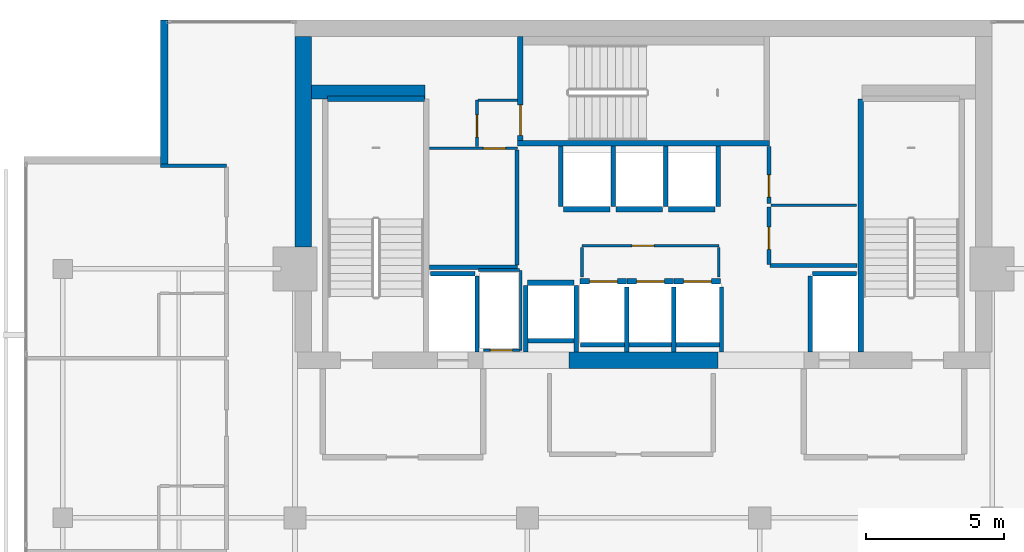
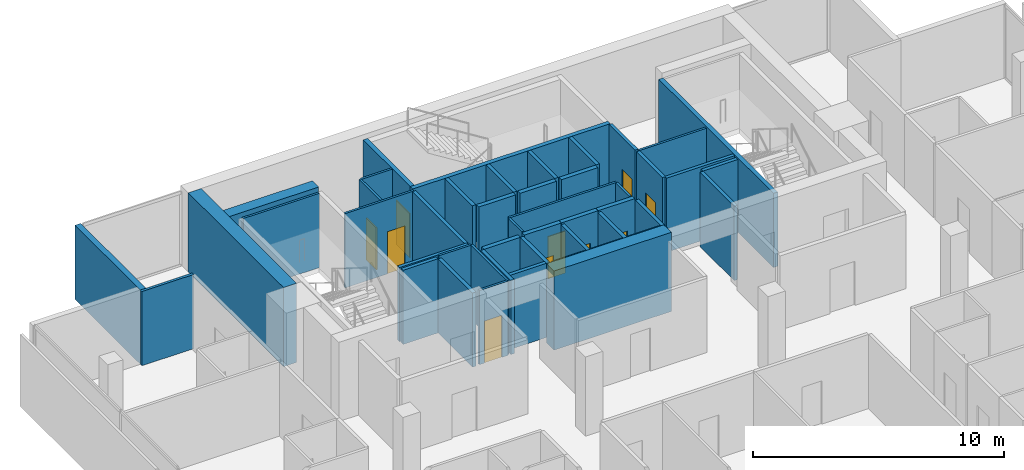
# One storey, part 22 of 25: 46 walls, 10 doors, 10 openings.
"""IFC4 building model written with IfcOpenShell, lengths in metres."""

from ifc_helpers import new_model, si_unit, direction, frame, frame_2d, origin, place, context, subcontext, project, spatial, rectangle, extrude, material, layer, layer_set, type_object, element, fill, save


model = new_model("IFC4")

# Units and contexts
model_context = context("Model", 3, precision=1e-05, world=origin(), true_north=direction((0.0, 1.0)))
body_context = subcontext(model_context, "Body", "Model", "MODEL_VIEW")
ifc_project = project(units=[si_unit("LENGTHUNIT", "METRE"), si_unit("AREAUNIT", "SQUARE_METRE"), si_unit("VOLUMEUNIT", "CUBIC_METRE"), si_unit("PLANEANGLEUNIT", "RADIAN"), si_unit("MASSUNIT", "GRAM", prefix="KILO")], contexts=[model_context])

# Site, building, storey
site_placement = place(None, origin())
site = spatial("IfcSite", under=ifc_project, at=site_placement, CompositionType="ELEMENT")
building_placement = place(site_placement, origin())
building = spatial("IfcBuilding", under=site, at=building_placement, Name="Maruvema Waterfront Hotel and Observation Tower", CompositionType="ELEMENT")
storey_placement = place(building_placement, frame((0.0, 0.0, 304.85009765625)))
storey = spatial("IfcBuildingStorey", under=building, at=storey_placement, Name="L75", CompositionType="ELEMENT", Elevation=304.85009765625)

# Walls
ifc_material_1 = material(Name="Twin-stud acoustic gypsum drywall", Category="gypsum")
ifc_layer_1 = layer(ifc_material_1, 0.14990234375, Name="Acoustic Corridor and Suite Demising Wall 150 mm")
ifc_layer_set_1 = layer_set([ifc_layer_1], Name="Twin-stud acoustic gypsum drywall")
wall_type_1 = type_object("IfcWallType", Name="Acoustic Corridor and Suite Demising Wall 150 mm", PredefinedType="PARTITIONING", material=ifc_layer_set_1)
wall_1_placement = place(storey_placement, frame((30.06005859375, 45.06005859375, 0.0), z_axis=(0.0, 0.0, 1.0), x_axis=(1.0, 0.0, 0.0)))
element("IfcWall", 1, at=wall_1_placement, inside=storey, type_object=wall_type_1, Name="L75 Freed B1 South Wall 013", PredefinedType="PARTITIONING", context=body_context, shape_type="SweptSolid", body=[
    extrude(rectangle(XDim=3.179931640625, YDim=0.14990234375, at=frame_2d((1.58984375, 0.0))), origin(), (0.0, 0.0, 1.0), 3.60986328125),
])
wall_2_placement = place(storey_placement, frame((33.219970703125, 45.139892578125, 0.0), z_axis=(0.0, 0.0, 1.0), x_axis=(0.0, 1.0, 0.0)))
element("IfcWall", 2, at=wall_2_placement, inside=storey, type_object=wall_type_1, Name="L75 Freed B1 East Wall 014", PredefinedType="PARTITIONING", context=body_context, shape_type="SweptSolid", body=[
    extrude(rectangle(XDim=4.16015625, YDim=0.14990234375, at=frame_2d((2.080078125, 0.0))), origin(), (0.0, 0.0, 1.0), 3.60986328125),
])

# Wall, opening, door
wall_3_placement = place(storey_placement, frame((42.340087890625, 45.159912109375, 0.0), z_axis=(0.0, 0.0, 1.0), x_axis=(0.0, 1.0, 0.0)))
wall_3 = element("IfcWall", 3, at=wall_3_placement, inside=storey, type_object=wall_type_1, Name="L75 Freed B2 West S 018", PredefinedType="PARTITIONING", context=body_context, shape_type="SweptSolid", body=[
    extrude(rectangle(XDim=2.080078125, YDim=0.14990234375, at=frame_2d((1.0400390625, 0.0))), origin(), (0.0, 0.0, 1.0), 3.60986328125),
])
opening_1_placement = place(wall_3_placement, frame((0.550048828125, 0.0, 0.0)))
opening_1 = element("IfcOpeningElement", 4, at=opening_1_placement, cuts=wall_3, Name="Opening DR-080", PredefinedType="OPENING", context=body_context, shape_type="SweptSolid", body=[
    extrude(rectangle(XDim=0.800048828125, YDim=2.050048828125, at=frame_2d((0.39990234375, 1.02490234375))), frame((0.0, 0.0849609375, 0.0), z_axis=(0.0, -1.0, 0.0), x_axis=(1.0, 0.0, 0.0)), (0.0, 0.0, 1.0), 0.169921875),
])
ifc_material_2 = material(Name="Powder-coated steel access leaf", Category="steel")
door_type_1 = type_object("IfcDoorType", Name="Riser and Service Cupboard Door 800x2050 mm", OperationType="NOTDEFINED", PredefinedType="DOOR", material=ifc_material_2)
door_1_placement = place(opening_1_placement, frame((0.800048828125, 0.0, 0.0), z_axis=(0.0, 0.0, 1.0), x_axis=(-1.0, 0.0, 0.0)))
door_1 = element("IfcDoor", 5, at=door_1_placement, inside=storey, type_object=door_type_1, Name="L75 Butler Service Pantry Door", OperationType="SINGLE_SWING_LEFT", OverallHeight=2.050048828125, OverallWidth=0.800048828125, PredefinedType="DOOR", context=body_context, shape_type="SweptSolid", body=[
    extrude(rectangle(XDim=0.800048828125, YDim=2.050048828125, at=frame_2d((0.39990234375, 1.02490234375))), frame((0.0, 0.02490234375, 0.0), z_axis=(0.0, -1.0, 0.0), x_axis=(1.0, 0.0, 0.0)), (0.0, 0.0, 1.0), 0.050048828125),
])
fill(opening_1, door_1)

wall_4_placement = place(storey_placement, frame((42.340087890625, 47.360107421875, 0.0), z_axis=(0.0, 0.0, 1.0), x_axis=(0.0, 1.0, 0.0)))
wall_4 = element("IfcWall", 6, at=wall_4_placement, inside=storey, type_object=wall_type_1, Name="L75 Freed B2 West N 019", PredefinedType="PARTITIONING", context=body_context, shape_type="SweptSolid", body=[
    extrude(rectangle(XDim=2.059814453125, YDim=0.14990234375, at=frame_2d((1.02978515625, 0.0))), origin(), (0.0, 0.0, 1.0), 3.60986328125),
])
opening_2_placement = place(wall_4_placement, frame((0.239990234375, 0.0, 0.0)))
opening_2 = element("IfcOpeningElement", 7, at=opening_2_placement, cuts=wall_4, Name="Opening DR-080", PredefinedType="OPENING", context=body_context, shape_type="SweptSolid", body=[
    extrude(rectangle(XDim=0.800048828125, YDim=2.050048828125, at=frame_2d((0.39990234375, 1.02490234375))), frame((0.0, 0.0849609375, 0.0), z_axis=(0.0, -1.0, 0.0), x_axis=(1.0, 0.0, 0.0)), (0.0, 0.0, 1.0), 0.169921875),
])
door_2_placement = place(opening_2_placement, frame((0.800048828125, 0.0, 0.0), z_axis=(0.0, 0.0, 1.0), x_axis=(-1.0, 0.0, 0.0)))
door_2 = element("IfcDoor", 8, at=door_2_placement, inside=storey, type_object=door_type_1, Name="L75 Core IT and Linen Store Door", OperationType="SINGLE_SWING_RIGHT", OverallHeight=2.050048828125, OverallWidth=0.800048828125, PredefinedType="DOOR", context=body_context, shape_type="SweptSolid", body=[
    extrude(rectangle(XDim=0.800048828125, YDim=2.050048828125, at=frame_2d((0.39990234375, 1.02490234375))), frame((0.0, 0.02490234375, 0.0), z_axis=(0.0, -1.0, 0.0), x_axis=(1.0, 0.0, 0.0)), (0.0, 0.0, 1.0), 0.050048828125),
])
fill(opening_2, door_2)

# Walls
wall_5_placement = place(storey_placement, frame((42.3798828125, 45.1201171875, 0.0), z_axis=(0.0, 0.0, 1.0), x_axis=(1.0, 0.0, 0.0)))
element("IfcWall", 9, at=wall_5_placement, inside=storey, type_object=wall_type_1, Name="L75 Freed B2 South Wall 021", PredefinedType="PARTITIONING", context=body_context, shape_type="SweptSolid", body=[
    extrude(rectangle(XDim=3.14013671875, YDim=0.14990234375, at=frame_2d((1.570068359375, 0.0))), origin(), (0.0, 0.0, 1.0), 3.60986328125),
])
ifc_material_3 = material(Name="Precast concrete C45/55", Category="concrete")
ifc_layer_2 = layer(ifc_material_3, 0.199951171875, Name="Core Shaft and Stairwell Enclosure Wall 200 mm")
ifc_layer_set_2 = layer_set([ifc_layer_2], Name="Precast concrete C45/55")
wall_type_2 = type_object("IfcWallType", Name="Core Shaft and Stairwell Enclosure Wall 200 mm", PredefinedType="SOLIDWALL", material=ifc_layer_set_2)
wall_6_placement = place(storey_placement, frame((26.3798828125, 51.14990234375, 0.0), z_axis=(0.0, 0.0, 1.0), x_axis=(1.0, 0.0, 0.0)))
element("IfcWall", 10, at=wall_6_placement, inside=storey, type_object=wall_type_2, Name="L75 Stairwell ST-01 Shaft Lining Wall", PredefinedType="SOLIDWALL", context=body_context, shape_type="SweptSolid", body=[
    extrude(rectangle(XDim=3.5, YDim=0.199951171875, at=frame_2d((1.75, 0.0))), origin(), (0.0, 0.0, 1.0), 3.60986328125),
])
wall_7_placement = place(storey_placement, frame((33.25, 49.550048828125, 0.0), z_axis=(0.0, 0.0, 1.0), x_axis=(1.0, 0.0, 0.0)))
element("IfcWall", 11, at=wall_7_placement, inside=storey, type_object=wall_type_2, Name="L75 Stairwell ST-02 Shaft Wall", PredefinedType="SOLIDWALL", context=body_context, shape_type="SweptSolid", body=[
    extrude(rectangle(XDim=9.10009765625, YDim=0.199951171875, at=frame_2d((4.550048828125, 0.0))), origin(), (0.0, 0.0, 1.0), 3.60986328125),
])

# Wall, opening, door
wall_8_placement = place(storey_placement, frame((33.35009765625, 49.64990234375, 0.0), z_axis=(0.0, 0.0, 1.0), x_axis=(0.0, 1.0, 0.0)))
wall_8 = element("IfcWall", 12, at=wall_8_placement, inside=storey, type_object=wall_type_2, Name="L75 Stairwell ST-02 Shaft Wall", PredefinedType="SOLIDWALL", context=body_context, shape_type="SweptSolid", body=[
    extrude(rectangle(XDim=3.75, YDim=0.199951171875, at=frame_2d((1.875, 0.0))), origin(), (0.0, 0.0, 1.0), 3.60986328125),
])
opening_3_placement = place(wall_8_placement, frame((0.179931640625, 0.0, 0.0)))
opening_3 = element("IfcOpeningElement", 13, at=opening_3_placement, cuts=wall_8, Name="Opening SD-02", PredefinedType="OPENING", context=body_context, shape_type="SweptSolid", body=[
    extrude(rectangle(XDim=1.10009765625, YDim=2.14990234375, at=frame_2d((0.550048828125, 1.074951171875))), frame((0.0, 0.10986328125, 0.0), z_axis=(0.0, -1.0, 0.0), x_axis=(1.0, 0.0, 0.0)), (0.0, 0.0, 1.0), 0.219970703125),
])
ifc_material_4 = material(Name="Fire-rated galvanised steel leaf", Category="steel")
door_type_2 = type_object("IfcDoorType", Name="Central Exit Stair Fire Door 1100x2150 mm", OperationType="NOTDEFINED", PredefinedType="DOOR", material=ifc_material_4)
door_3_placement = place(opening_3_placement, frame((1.10009765625, 0.0, 0.0), z_axis=(0.0, 0.0, 1.0), x_axis=(-1.0, 0.0, 0.0)))
door_3 = element("IfcDoor", 14, at=door_3_placement, inside=storey, type_object=door_type_2, Name="L75 Exit Stair ST-02 Fire Door", OperationType="SINGLE_SWING_LEFT", OverallHeight=2.14990234375, OverallWidth=1.10009765625, PredefinedType="DOOR", context=body_context, shape_type="SweptSolid", body=[
    extrude(rectangle(XDim=1.10009765625, YDim=2.14990234375, at=frame_2d((0.550048828125, 1.074951171875))), frame((0.0, 0.02490234375, 0.0), z_axis=(0.0, -1.0, 0.0), x_axis=(1.0, 0.0, 0.0)), (0.0, 0.0, 1.0), 0.050048828125),
])
fill(opening_3, door_3)

# Wall
wall_9_placement = place(storey_placement, frame((45.64990234375, 42.0, 0.0), z_axis=(0.0, 0.0, 1.0), x_axis=(0.0, 1.0, 0.0)))
element("IfcWall", 15, at=wall_9_placement, inside=storey, type_object=wall_type_2, Name="L75 Stairwell ST-03 West Shaft Wall", PredefinedType="SOLIDWALL", context=body_context, shape_type="SweptSolid", body=[
    extrude(rectangle(XDim=9.14990234375, YDim=0.199951171875, at=frame_2d((4.574951171875, 0.0))), origin(), (0.0, 0.0, 1.0), 3.60986328125),
])

# Wall, opening, door
wall_10_placement = place(storey_placement, frame((35.510009765625, 44.550048828125, 0.0), z_axis=(0.0, 0.0, 1.0), x_axis=(1.0, 0.0, 0.0)))
wall_10 = element("IfcWall", 16, at=wall_10_placement, inside=storey, type_object=wall_type_2, Name="L75 Lift LF-09 Hoistway Front Wall", PredefinedType="SOLIDWALL", context=body_context, shape_type="SweptSolid", body=[
    extrude(rectangle(XDim=1.679931640625, YDim=0.199951171875, at=frame_2d((0.83984375, 0.0))), origin(), (0.0, 0.0, 1.0), 3.60986328125),
])
opening_4_placement = place(wall_10_placement, frame((0.340087890625, 0.0, 0.0)))
opening_4 = element("IfcOpeningElement", 17, at=opening_4_placement, cuts=wall_10, Name="Opening LD-01", PredefinedType="OPENING", context=body_context, shape_type="SweptSolid", body=[
    extrude(rectangle(XDim=1.0, YDim=2.14990234375, at=frame_2d((0.5, 1.074951171875))), frame((0.0, 0.10986328125, 0.0), z_axis=(0.0, -1.0, 0.0), x_axis=(1.0, 0.0, 0.0)), (0.0, 0.0, 1.0), 0.219970703125),
])
ifc_material_5 = material(Name="Brushed stainless steel Grade 316", Category="steel")
door_type_3 = type_object("IfcDoorType", Name="Passenger Lift Sliding Landing Door 1000x2150 mm", OperationType="SLIDING_TO_LEFT", PredefinedType="DOOR", material=ifc_material_5)
door_4_placement = place(opening_4_placement, origin())
door_4 = element("IfcDoor", 18, at=door_4_placement, inside=storey, type_object=door_type_3, Name="L75 Lift LF-09 Sliding Landing Door", OperationType="SLIDING_TO_LEFT", OverallHeight=2.14990234375, OverallWidth=1.0, PredefinedType="DOOR", context=body_context, shape_type="SweptSolid", body=[
    extrude(rectangle(XDim=1.0, YDim=2.14990234375, at=frame_2d((0.5, 1.074951171875))), frame((0.0, 0.02490234375, 0.0), z_axis=(0.0, -1.0, 0.0), x_axis=(1.0, 0.0, 0.0)), (0.0, 0.0, 1.0), 0.050048828125),
])
fill(opening_4, door_4)

wall_11_placement = place(storey_placement, frame((37.2099609375, 44.550048828125, 0.0), z_axis=(0.0, 0.0, 1.0), x_axis=(1.0, 0.0, 0.0)))
wall_11 = element("IfcWall", 19, at=wall_11_placement, inside=storey, type_object=wall_type_2, Name="L75 Lift LF-10 Hoistway Front Wall", PredefinedType="SOLIDWALL", context=body_context, shape_type="SweptSolid", body=[
    extrude(rectangle(XDim=1.679931640625, YDim=0.199951171875, at=frame_2d((0.83984375, 0.0))), origin(), (0.0, 0.0, 1.0), 3.60986328125),
])
opening_5_placement = place(wall_11_placement, frame((0.340087890625, 0.0, 0.0)))
opening_5 = element("IfcOpeningElement", 20, at=opening_5_placement, cuts=wall_11, Name="Opening LD-01", PredefinedType="OPENING", context=body_context, shape_type="SweptSolid", body=[
    extrude(rectangle(XDim=1.0, YDim=2.14990234375, at=frame_2d((0.5, 1.074951171875))), frame((0.0, 0.10986328125, 0.0), z_axis=(0.0, -1.0, 0.0), x_axis=(1.0, 0.0, 0.0)), (0.0, 0.0, 1.0), 0.219970703125),
])
door_5_placement = place(opening_5_placement, origin())
door_5 = element("IfcDoor", 21, at=door_5_placement, inside=storey, type_object=door_type_3, Name="L75 Lift LF-10 Sliding Landing Door", OperationType="SLIDING_TO_LEFT", OverallHeight=2.14990234375, OverallWidth=1.0, PredefinedType="DOOR", context=body_context, shape_type="SweptSolid", body=[
    extrude(rectangle(XDim=1.0, YDim=2.14990234375, at=frame_2d((0.5, 1.074951171875))), frame((0.0, 0.02490234375, 0.0), z_axis=(0.0, -1.0, 0.0), x_axis=(1.0, 0.0, 0.0)), (0.0, 0.0, 1.0), 0.050048828125),
])
fill(opening_5, door_5)

wall_12_placement = place(storey_placement, frame((38.909912109375, 44.550048828125, 0.0), z_axis=(0.0, 0.0, 1.0), x_axis=(1.0, 0.0, 0.0)))
wall_12 = element("IfcWall", 22, at=wall_12_placement, inside=storey, type_object=wall_type_2, Name="L75 Lift LF-11 Hoistway Front Wall", PredefinedType="SOLIDWALL", context=body_context, shape_type="SweptSolid", body=[
    extrude(rectangle(XDim=1.68017578125, YDim=0.199951171875, at=frame_2d((0.840087890625, 0.0))), origin(), (0.0, 0.0, 1.0), 3.60986328125),
])
opening_6_placement = place(wall_12_placement, frame((0.340087890625, 0.0, 0.0)))
opening_6 = element("IfcOpeningElement", 23, at=opening_6_placement, cuts=wall_12, Name="Opening LD-01", PredefinedType="OPENING", context=body_context, shape_type="SweptSolid", body=[
    extrude(rectangle(XDim=1.0, YDim=2.14990234375, at=frame_2d((0.5, 1.074951171875))), frame((0.0, 0.10986328125, 0.0), z_axis=(0.0, -1.0, 0.0), x_axis=(1.0, 0.0, 0.0)), (0.0, 0.0, 1.0), 0.219970703125),
])
door_6_placement = place(opening_6_placement, origin())
door_6 = element("IfcDoor", 24, at=door_6_placement, inside=storey, type_object=door_type_3, Name="L75 Lift LF-11 Sliding Landing Door", OperationType="SLIDING_TO_LEFT", OverallHeight=2.14990234375, OverallWidth=1.0, PredefinedType="DOOR", context=body_context, shape_type="SweptSolid", body=[
    extrude(rectangle(XDim=1.0, YDim=2.14990234375, at=frame_2d((0.5, 1.074951171875))), frame((0.0, 0.02490234375, 0.0), z_axis=(0.0, -1.0, 0.0), x_axis=(1.0, 0.0, 0.0)), (0.0, 0.0, 1.0), 0.050048828125),
])
fill(opening_6, door_6)

# Walls
wall_13_placement = place(storey_placement, frame((34.909912109375, 47.14990234375, 0.0), z_axis=(0.0, 0.0, 1.0), x_axis=(1.0, 0.0, 0.0)))
element("IfcWall", 25, at=wall_13_placement, inside=storey, type_object=wall_type_2, Name="L75 Lift LF-12 Hoistway Front Wall", PredefinedType="SOLIDWALL", context=body_context, shape_type="SweptSolid", body=[
    extrude(rectangle(XDim=1.68017578125, YDim=0.199951171875, at=frame_2d((0.840087890625, 0.0))), origin(), (0.0, 0.0, 1.0), 3.60986328125),
])
for number, where, z_axis, x_axis, name in (
    (26, (36.81005859375, 47.14990234375, 0.0), (0.0, 0.0, 1.0), (1.0, 0.0, 0.0), "L75 Lift LF-13 Hoistway Front Wall"),
    (27, (38.7099609375, 47.14990234375, 0.0), (0.0, 0.0, 1.0), (1.0, 0.0, 0.0), "L75 Lift LF-14 Hoistway Front Wall"),
    (28, (33.610107421875, 44.5, 0.0), (0.0, 0.0, 1.0), (1.0, 0.0, 0.0), "L75 Lift LF-15 Hoistway Front Wall"),
):
    element("IfcWall", number, at=place(storey_placement, frame(where, z_axis=z_axis, x_axis=x_axis)), inside=storey, type_object=wall_type_2, Name=name, PredefinedType="SOLIDWALL", context=body_context, shape_type="SweptSolid", body=[
        extrude(rectangle(XDim=1.679931640625, YDim=0.199951171875, at=frame_2d((0.83984375, 0.0))), origin(), (0.0, 0.0, 1.0), 3.60986328125),
    ])
ifc_material_6 = material(Name="Concrete C70/85", Category="concrete")
ifc_layer_3 = layer(ifc_material_6, 0.5, Name="Core Shear Wall 500 mm")
ifc_layer_set_3 = layer_set([ifc_layer_3], Name="Concrete C70/85")
wall_type_3 = type_object("IfcWallType", Name="Core Shear Wall 500 mm", PredefinedType="SHEAR", material=ifc_layer_set_3)
wall_14_placement = place(storey_placement, frame((25.800048828125, 51.39990234375, 0.0), z_axis=(0.0, 0.0, 1.0), x_axis=(1.0, 0.0, 0.0)))
element("IfcWall", 29, at=wall_14_placement, inside=storey, type_object=wall_type_3, Name="L75 Internal Core Shear Wall NW 500 mm", PredefinedType="SHEAR", context=body_context, shape_type="SweptSolid", body=[
    extrude(rectangle(XDim=4.099853515625, YDim=0.5, at=frame_2d((2.0498046875, 0.0))), origin(), (0.0, 0.0, 1.0), 3.849853515625),
])
ifc_material_7 = material(Name="Concrete C60/75", Category="concrete")
ifc_layer_4 = layer(ifc_material_7, 0.60009765625, Name="Core Shear Wall 600 mm")
ifc_layer_set_4 = layer_set([ifc_layer_4], Name="Concrete C60/75")
wall_type_4 = type_object("IfcWallType", Name="Core Shear Wall 600 mm", PredefinedType="SHEAR", material=ifc_layer_set_4)
wall_15_placement = place(storey_placement, frame((35.10009765625, 41.699951171875, 0.0), z_axis=(0.0, 0.0, 1.0), x_axis=(1.0, 0.0, 0.0)))
element("IfcWall", 30, at=wall_15_placement, inside=storey, type_object=wall_type_4, Name="L75 South-Central Core Shear Wall", PredefinedType="SHEAR", context=body_context, shape_type="SweptSolid", body=[
    extrude(rectangle(XDim=5.39990234375, YDim=0.60009765625, at=frame_2d((2.699951171875, 0.0))), origin(), (0.0, 0.0, 1.0), 3.849853515625),
])
wall_16_placement = place(storey_placement, frame((25.5, 45.800048828125, 0.0), z_axis=(0.0, 0.0, 1.0), x_axis=(0.0, 1.0, 0.0)))
element("IfcWall", 31, at=wall_16_placement, inside=storey, type_object=wall_type_4, Name="L75 West-North Core Shear Wall", PredefinedType="SHEAR", context=body_context, shape_type="SweptSolid", body=[
    extrude(rectangle(XDim=7.599853515625, YDim=0.60009765625, at=frame_2d((3.7998046875, 0.0))), origin(), (0.0, 0.0, 1.0), 3.849853515625),
])

# Wall, opening, door
ifc_material_8 = material(Name="Moisture-resistant cement-board drywall", Category="gypsum")
ifc_layer_5 = layer(ifc_material_8, 0.10009765625, Name="En-Suite Moisture-Resistant Partition 100 mm")
ifc_layer_set_5 = layer_set([ifc_layer_5], Name="Moisture-resistant cement-board drywall")
wall_type_5 = type_object("IfcWallType", Name="En-Suite Moisture-Resistant Partition 100 mm", PredefinedType="PARTITIONING", material=ifc_layer_set_5)
wall_17_placement = place(storey_placement, frame((32.02001953125, 42.06005859375, 0.0), z_axis=(0.0, 0.0, 1.0), x_axis=(1.0, 0.0, 0.0)))
wall_17 = element("IfcWall", 32, at=wall_17_placement, inside=storey, type_object=wall_type_5, Name="L75 Telecom Riser South Wall 007", PredefinedType="PARTITIONING", context=body_context, shape_type="SweptSolid", body=[
    extrude(rectangle(XDim=1.320068359375, YDim=0.10009765625, at=frame_2d((0.66015625, 0.0))), origin(), (0.0, 0.0, 1.0), 3.60986328125),
])
opening_7_placement = place(wall_17_placement, frame((0.239990234375, 0.0, 0.0)))
opening_7 = element("IfcOpeningElement", 33, at=opening_7_placement, cuts=wall_17, Name="Opening DR-080", PredefinedType="OPENING", context=body_context, shape_type="SweptSolid", body=[
    extrude(rectangle(XDim=0.800048828125, YDim=2.050048828125, at=frame_2d((0.39990234375, 1.02490234375))), frame((0.0, 0.06005859375, 0.0), z_axis=(0.0, -1.0, 0.0), x_axis=(1.0, 0.0, 0.0)), (0.0, 0.0, 1.0), 0.1201171875),
])
door_7_placement = place(opening_7_placement, frame((0.800048828125, 0.0, 0.0), z_axis=(0.0, 0.0, 1.0), x_axis=(-1.0, 0.0, 0.0)))
door_7 = element("IfcDoor", 34, at=door_7_placement, inside=storey, type_object=door_type_1, Name="L75 Telecom Riser Door", OperationType="SINGLE_SWING_LEFT", OverallHeight=2.050048828125, OverallWidth=0.800048828125, PredefinedType="DOOR", context=body_context, shape_type="SweptSolid", body=[
    extrude(rectangle(XDim=0.800048828125, YDim=2.050048828125, at=frame_2d((0.39990234375, 1.02490234375))), frame((0.0, 0.02490234375, 0.0), z_axis=(0.0, -1.0, 0.0), x_axis=(1.0, 0.0, 0.0)), (0.0, 0.0, 1.0), 0.050048828125),
])
fill(opening_7, door_7)

# Walls
wall_18_placement = place(storey_placement, frame((31.840087890625, 44.9599609375, 0.0), z_axis=(0.0, 0.0, 1.0), x_axis=(1.0, 0.0, 0.0)))
element("IfcWall", 35, at=wall_18_placement, inside=storey, type_object=wall_type_5, Name="L75 Telecom Riser North Wall 008", PredefinedType="PARTITIONING", context=body_context, shape_type="SweptSolid", body=[
    extrude(rectangle(XDim=1.47998046875, YDim=0.10009765625, at=frame_2d((0.739990234375, 0.0))), origin(), (0.0, 0.0, 1.0), 3.60986328125),
])
wall_19_placement = place(storey_placement, frame((33.360107421875, 42.06005859375, 0.0), z_axis=(0.0, 0.0, 1.0), x_axis=(0.0, 1.0, 0.0)))
element("IfcWall", 36, at=wall_19_placement, inside=storey, type_object=wall_type_5, Name="L75 Telecom Riser East Wall 009", PredefinedType="PARTITIONING", context=body_context, shape_type="SweptSolid", body=[
    extrude(rectangle(XDim=2.8798828125, YDim=0.10009765625, at=frame_2d((1.43994140625, 0.0))), origin(), (0.0, 0.0, 1.0), 3.60986328125),
])

# Wall, opening, door
wall_20_placement = place(storey_placement, frame((35.580078125, 45.840087890625, 0.0), z_axis=(0.0, 0.0, 1.0), x_axis=(1.0, 0.0, 0.0)))
wall_20 = element("IfcWall", 37, at=wall_20_placement, inside=storey, type_object=wall_type_5, Name="L75 Core Closet K0 North 010", PredefinedType="PARTITIONING", context=body_context, shape_type="SweptSolid", body=[
    extrude(rectangle(XDim=4.93994140625, YDim=0.10009765625, at=frame_2d((2.469970703125, 0.0))), origin(), (0.0, 0.0, 1.0), 3.60986328125),
])
opening_8_placement = place(wall_20_placement, frame((1.800048828125, 0.0, 0.0)))
opening_8 = element("IfcOpeningElement", 38, at=opening_8_placement, cuts=wall_20, Name="Opening DR-080", PredefinedType="OPENING", context=body_context, shape_type="SweptSolid", body=[
    extrude(rectangle(XDim=0.800048828125, YDim=2.050048828125, at=frame_2d((0.39990234375, 1.02490234375))), frame((0.0, 0.06005859375, 0.0), z_axis=(0.0, -1.0, 0.0), x_axis=(1.0, 0.0, 0.0)), (0.0, 0.0, 1.0), 0.1201171875),
])
door_8_placement = place(opening_8_placement, origin())
door_8 = element("IfcDoor", 39, at=door_8_placement, inside=storey, type_object=door_type_1, Name="L75 Core Electrical Closet Door", OperationType="SINGLE_SWING_RIGHT", OverallHeight=2.050048828125, OverallWidth=0.800048828125, PredefinedType="DOOR", context=body_context, shape_type="SweptSolid", body=[
    extrude(rectangle(XDim=0.800048828125, YDim=2.050048828125, at=frame_2d((0.39990234375, 1.02490234375))), frame((0.0, 0.02490234375, 0.0), z_axis=(0.0, -1.0, 0.0), x_axis=(1.0, 0.0, 0.0)), (0.0, 0.0, 1.0), 0.050048828125),
])
fill(opening_8, door_8)

# Walls
for number, where, z_axis, x_axis, name in (
    (40, (35.580078125, 44.699951171875, 0.0), (0.0, 0.0, 1.0), (0.0, 1.0, 0.0), "L75 Core Closet K0 West 011"),
    (41, (40.52001953125, 44.699951171875, 0.0), (0.0, 0.0, 1.0), (0.0, 1.0, 0.0), "L75 Core Closet K0 East 012"),
):
    element("IfcWall", number, at=place(storey_placement, frame(where, z_axis=z_axis, x_axis=x_axis)), inside=storey, type_object=wall_type_5, Name=name, PredefinedType="PARTITIONING", context=body_context, shape_type="SweptSolid", body=[
        extrude(rectangle(XDim=1.080078125, YDim=0.10009765625, at=frame_2d((0.5400390625, 0.0))), origin(), (0.0, 0.0, 1.0), 3.60986328125),
    ])

# Wall, opening, door
wall_21_placement = place(storey_placement, frame((30.06005859375, 49.360107421875, 0.0), z_axis=(0.0, 0.0, 1.0), x_axis=(1.0, 0.0, 0.0)))
wall_21 = element("IfcWall", 42, at=wall_21_placement, inside=storey, type_object=wall_type_5, Name="L75 Freed B1 Mid Wall 015", PredefinedType="PARTITIONING", context=body_context, shape_type="SweptSolid", body=[
    extrude(rectangle(XDim=3.179931640625, YDim=0.10009765625, at=frame_2d((1.58984375, 0.0))), origin(), (0.0, 0.0, 1.0), 3.60986328125),
])
opening_9_placement = place(wall_21_placement, frame((1.949951171875, 0.0, 0.0)))
opening_9 = element("IfcOpeningElement", 43, at=opening_9_placement, cuts=wall_21, Name="Opening DR-080", PredefinedType="OPENING", context=body_context, shape_type="SweptSolid", body=[
    extrude(rectangle(XDim=0.800048828125, YDim=2.050048828125, at=frame_2d((0.39990234375, 1.02490234375))), frame((0.0, 0.06005859375, 0.0), z_axis=(0.0, -1.0, 0.0), x_axis=(1.0, 0.0, 0.0)), (0.0, 0.0, 1.0), 0.1201171875),
])
door_9_placement = place(opening_9_placement, origin())
door_9 = element("IfcDoor", 44, at=door_9_placement, inside=storey, type_object=door_type_1, Name="L75 Housekeeping and Linen Room Door", OperationType="SINGLE_SWING_LEFT", OverallHeight=2.050048828125, OverallWidth=0.800048828125, PredefinedType="DOOR", context=body_context, shape_type="SweptSolid", body=[
    extrude(rectangle(XDim=0.800048828125, YDim=2.050048828125, at=frame_2d((0.39990234375, 1.02490234375))), frame((0.0, 0.02490234375, 0.0), z_axis=(0.0, -1.0, 0.0), x_axis=(1.0, 0.0, 0.0)), (0.0, 0.0, 1.0), 0.050048828125),
])
fill(opening_9, door_9)

wall_22_placement = place(storey_placement, frame((31.780029296875, 49.419921875, 0.0), z_axis=(0.0, 0.0, 1.0), x_axis=(0.0, 1.0, 0.0)))
wall_22 = element("IfcWall", 45, at=wall_22_placement, inside=storey, type_object=wall_type_5, Name="L75 Freed B1 NW East Wall 016", PredefinedType="PARTITIONING", context=body_context, shape_type="SweptSolid", body=[
    extrude(rectangle(XDim=1.68017578125, YDim=0.10009765625, at=frame_2d((0.840087890625, 0.0))), origin(), (0.0, 0.0, 1.0), 3.60986328125),
])
opening_10_placement = place(wall_22_placement, frame((0.35009765625, 0.0, 0.0)))
opening_10 = element("IfcOpeningElement", 46, at=opening_10_placement, cuts=wall_22, Name="Opening DR-080", PredefinedType="OPENING", context=body_context, shape_type="SweptSolid", body=[
    extrude(rectangle(XDim=0.800048828125, YDim=2.050048828125, at=frame_2d((0.39990234375, 1.02490234375))), frame((0.0, 0.06005859375, 0.0), z_axis=(0.0, -1.0, 0.0), x_axis=(1.0, 0.0, 0.0)), (0.0, 0.0, 1.0), 0.1201171875),
])
door_10_placement = place(opening_10_placement, origin())
door_10 = element("IfcDoor", 47, at=door_10_placement, inside=storey, type_object=door_type_1, Name="L75 Guest Floor Pantry Door", OperationType="SINGLE_SWING_RIGHT", OverallHeight=2.050048828125, OverallWidth=0.800048828125, PredefinedType="DOOR", context=body_context, shape_type="SweptSolid", body=[
    extrude(rectangle(XDim=0.800048828125, YDim=2.050048828125, at=frame_2d((0.39990234375, 1.02490234375))), frame((0.0, 0.02490234375, 0.0), z_axis=(0.0, -1.0, 0.0), x_axis=(1.0, 0.0, 0.0)), (0.0, 0.0, 1.0), 0.050048828125),
])
fill(opening_10, door_10)

# Walls
wall_23_placement = place(storey_placement, frame((31.820068359375, 51.10009765625, 0.0), z_axis=(0.0, 0.0, 1.0), x_axis=(1.0, 0.0, 0.0)))
element("IfcWall", 48, at=wall_23_placement, inside=storey, type_object=wall_type_5, Name="L75 Freed B1 Vestibule North Wall 017", PredefinedType="PARTITIONING", context=body_context, shape_type="SweptSolid", body=[
    extrude(rectangle(XDim=1.419921875, YDim=0.10009765625, at=frame_2d((0.7099609375, 0.0))), origin(), (0.0, 0.0, 1.0), 3.60986328125),
])
wall_24_placement = place(storey_placement, frame((42.39990234375, 47.300048828125, 0.0), z_axis=(0.0, 0.0, 1.0), x_axis=(1.0, 0.0, 0.0)))
element("IfcWall", 49, at=wall_24_placement, inside=storey, type_object=wall_type_5, Name="L75 Freed B2 Split 020", PredefinedType="PARTITIONING", context=body_context, shape_type="SweptSolid", body=[
    extrude(rectangle(XDim=3.10009765625, YDim=0.10009765625, at=frame_2d((1.550048828125, 0.0))), origin(), (0.0, 0.0, 1.0), 3.60986328125),
])
ifc_material_9 = material(Name="Precast concrete C45/55 with honed Pernambuco granite facing", Category="masonry")
ifc_layer_6 = layer(ifc_material_9, 0.260009765625, Name="Exterior Granite Clad Spandrel and Pier Wall 260 mm")
ifc_layer_set_6 = layer_set([ifc_layer_6], Name="Precast concrete C45/55 with honed Pernambuco granite facing")
wall_type_6 = type_object("IfcWallType", Name="Exterior Granite Clad Spandrel and Pier Wall 260 mm", PredefinedType="SOLIDWALL", material=ifc_layer_set_6)
wall_25_placement = place(storey_placement, frame((20.469970703125, 48.800048828125, 0.0), z_axis=(0.0, 0.0, 1.0), x_axis=(0.0, 1.0, 0.0)))
element("IfcWall", 50, at=wall_25_placement, inside=storey, type_object=wall_type_6, Name="L75 Corner Notch Granite Pier Wall NW1", PredefinedType="SOLIDWALL", context=body_context, shape_type="SweptSolid", body=[
    extrude(rectangle(XDim=5.199951171875, YDim=0.260009765625, at=frame_2d((2.60009765625, 0.0))), origin(), (0.0, 0.0, 1.0), 3.60986328125),
])
ifc_material_10 = material(Name="Acoustic gypsum plasterboard drywall", Category="gypsum")
ifc_layer_7 = layer(ifc_material_10, 0.125, Name="Guestroom Acoustic Demising Wall 125 mm")
ifc_layer_set_7 = layer_set([ifc_layer_7], Name="Acoustic gypsum plasterboard drywall")
wall_type_7 = type_object("IfcWallType", Name="Guestroom Acoustic Demising Wall 125 mm", PredefinedType="PARTITIONING", material=ifc_layer_set_7)
wall_26_placement = place(storey_placement, frame((20.340087890625, 48.737548828125, 0.0), z_axis=(0.0, 0.0, 1.0), x_axis=(1.0, 0.0, 0.0)))
element("IfcWall", 51, at=wall_26_placement, inside=storey, type_object=wall_type_7, Name="L75 Z3 NW Top End 079", PredefinedType="PARTITIONING", context=body_context, shape_type="SweptSolid", body=[
    extrude(rectangle(XDim=2.3798828125, YDim=0.125, at=frame_2d((1.18994140625, 0.0))), origin(), (0.0, 0.0, 1.0), 3.60986328125),
])
ifc_material_11 = material(Name="Precast concrete C45/55", Category="concrete")
ifc_layer_8 = layer(ifc_material_11, 0.159912109375, Name="Lift Hoistway Divider Wall 160 mm")
ifc_layer_set_8 = layer_set([ifc_layer_8], Name="Precast concrete C45/55")
wall_type_8 = type_object("IfcWallType", Name="Lift Hoistway Divider Wall 160 mm", PredefinedType="SOLIDWALL", material=ifc_layer_set_8)
wall_27_placement = place(storey_placement, frame((30.10009765625, 44.830078125, 0.0), z_axis=(0.0, 0.0, 1.0), x_axis=(1.0, 0.0, 0.0)))
element("IfcWall", 52, at=wall_27_placement, inside=storey, type_object=wall_type_8, Name="L75 Lift FL-01 Rear Hoistway Wall", PredefinedType="SOLIDWALL", context=body_context, shape_type="SweptSolid", body=[
    extrude(rectangle(XDim=1.599853515625, YDim=0.159912109375, at=frame_2d((0.7998046875, 0.0))), origin(), (0.0, 0.0, 1.0), 3.60986328125),
])
wall_28_placement = place(storey_placement, frame((31.780029296875, 42.0, 0.0), z_axis=(0.0, 0.0, 1.0), x_axis=(0.0, 1.0, 0.0)))
element("IfcWall", 53, at=wall_28_placement, inside=storey, type_object=wall_type_8, Name="L75 Lift FL-01 Inner Hoistway Wall", PredefinedType="SOLIDWALL", context=body_context, shape_type="SweptSolid", body=[
    extrude(rectangle(XDim=2.739990234375, YDim=0.159912109375, at=frame_2d((1.3701171875, 0.0))), origin(), (0.0, 0.0, 1.0), 3.60986328125),
])
wall_29_placement = place(storey_placement, frame((43.89990234375, 44.830078125, 0.0), z_axis=(0.0, 0.0, 1.0), x_axis=(1.0, 0.0, 0.0)))
element("IfcWall", 54, at=wall_29_placement, inside=storey, type_object=wall_type_8, Name="L75 Lift FL-02 Rear Hoistway Wall", PredefinedType="SOLIDWALL", context=body_context, shape_type="SweptSolid", body=[
    extrude(rectangle(XDim=1.60009765625, YDim=0.159912109375, at=frame_2d((0.800048828125, 0.0))), origin(), (0.0, 0.0, 1.0), 3.60986328125),
])
wall_30_placement = place(storey_placement, frame((43.820068359375, 42.0, 0.0), z_axis=(0.0, 0.0, 1.0), x_axis=(0.0, 1.0, 0.0)))
element("IfcWall", 55, at=wall_30_placement, inside=storey, type_object=wall_type_8, Name="L75 Lift FL-02 Inner Hoistway Wall", PredefinedType="SOLIDWALL", context=body_context, shape_type="SweptSolid", body=[
    extrude(rectangle(XDim=2.739990234375, YDim=0.159912109375, at=frame_2d((1.3701171875, 0.0))), origin(), (0.0, 0.0, 1.0), 3.60986328125),
])
for number, where, z_axis, x_axis, name in (
    (56, (37.199951171875, 42.0, 0.0), (0.0, 0.0, 1.0), (0.0, 1.0, 0.0), "L75 Hoistway Divider Wall"),
    (57, (38.89990234375, 42.0, 0.0), (0.0, 0.0, 1.0), (0.0, 1.0, 0.0), "L75 Hoistway Divider Wall"),
    (58, (40.6201171875, 42.0, 0.0), (0.0, 0.0, 1.0), (0.0, 1.0, 0.0), "L75 Hoistway Divider Wall"),
):
    element("IfcWall", number, at=place(storey_placement, frame(where, z_axis=z_axis, x_axis=x_axis)), inside=storey, type_object=wall_type_8, Name=name, PredefinedType="SOLIDWALL", context=body_context, shape_type="SweptSolid", body=[
        extrude(rectangle(XDim=2.35009765625, YDim=0.159912109375, at=frame_2d((1.175048828125, 0.0))), origin(), (0.0, 0.0, 1.0), 3.60986328125),
    ])
wall_31_placement = place(storey_placement, frame((35.52001953125, 42.260009765625, 0.0), z_axis=(0.0, 0.0, 1.0), x_axis=(1.0, 0.0, 0.0)))
element("IfcWall", 59, at=wall_31_placement, inside=storey, type_object=wall_type_8, Name="L75 Hoistway Divider Wall", PredefinedType="SOLIDWALL", context=body_context, shape_type="SweptSolid", body=[
    extrude(rectangle(XDim=5.02001953125, YDim=0.159912109375, at=frame_2d((2.510009765625, 0.0))), origin(), (0.0, 0.0, 1.0), 3.60986328125),
])
for number, where, z_axis, x_axis, name in (
    (60, (34.800048828125, 47.25, 0.0), (0.0, 0.0, 1.0), (0.0, 1.0, 0.0), "L75 Hoistway Divider Wall"),
    (61, (36.699951171875, 47.25, 0.0), (0.0, 0.0, 1.0), (0.0, 1.0, 0.0), "L75 Hoistway Divider Wall"),
    (62, (38.60009765625, 47.25, 0.0), (0.0, 0.0, 1.0), (0.0, 1.0, 0.0), "L75 Hoistway Divider Wall"),
    (63, (40.5, 47.25, 0.0), (0.0, 0.0, 1.0), (0.0, 1.0, 0.0), "L75 Hoistway Divider Wall"),
):
    element("IfcWall", number, at=place(storey_placement, frame(where, z_axis=z_axis, x_axis=x_axis)), inside=storey, type_object=wall_type_8, Name=name, PredefinedType="SOLIDWALL", context=body_context, shape_type="SweptSolid", body=[
        extrude(rectangle(XDim=2.18994140625, YDim=0.159912109375, at=frame_2d((1.094970703125, 0.0))), origin(), (0.0, 0.0, 1.0), 3.60986328125),
    ])
for number, where, z_axis, x_axis, name in (
    (64, (33.5400390625, 42.0, 0.0), (0.0, 0.0, 1.0), (0.0, 1.0, 0.0), "L75 Hoistway Divider Wall"),
    (65, (35.360107421875, 42.0, 0.0), (0.0, 0.0, 1.0), (0.0, 1.0, 0.0), "L75 Hoistway Divider Wall"),
):
    element("IfcWall", number, at=place(storey_placement, frame(where, z_axis=z_axis, x_axis=x_axis)), inside=storey, type_object=wall_type_8, Name=name, PredefinedType="SOLIDWALL", context=body_context, shape_type="SweptSolid", body=[
        extrude(rectangle(XDim=2.39990234375, YDim=0.159912109375, at=frame_2d((1.199951171875, 0.0))), origin(), (0.0, 0.0, 1.0), 3.60986328125),
    ])
wall_32_placement = place(storey_placement, frame((33.6201171875, 42.39990234375, 0.0), z_axis=(0.0, 0.0, 1.0), x_axis=(1.0, 0.0, 0.0)))
element("IfcWall", 66, at=wall_32_placement, inside=storey, type_object=wall_type_8, Name="L75 Hoistway Divider Wall", PredefinedType="SOLIDWALL", context=body_context, shape_type="SweptSolid", body=[
    extrude(rectangle(XDim=1.659912109375, YDim=0.159912109375, at=frame_2d((0.830078125, 0.0))), origin(), (0.0, 0.0, 1.0), 3.60986328125),
])

save(model, "model.ifc")
